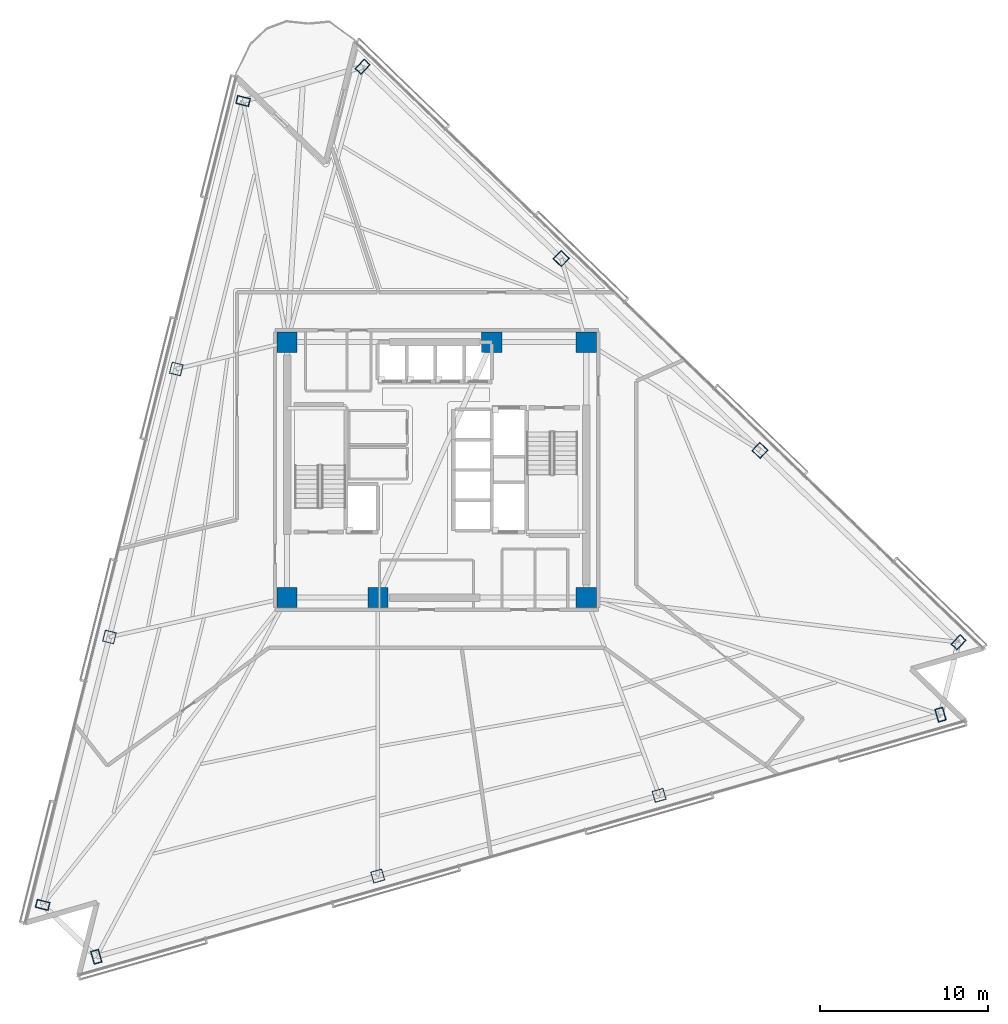
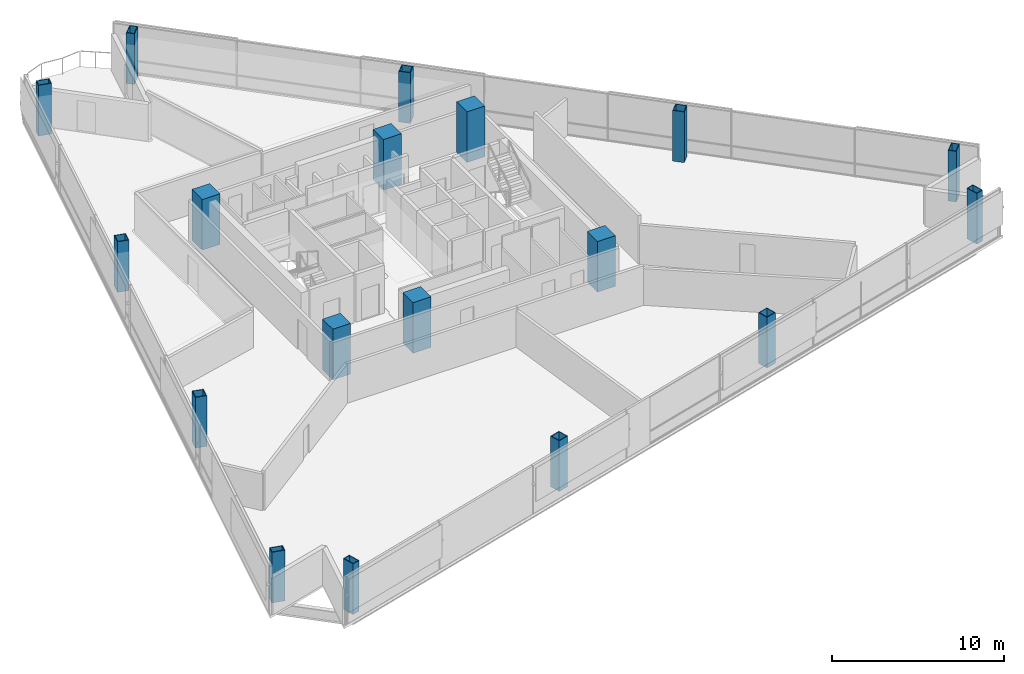
# One storey, part 1 of 18: 18 columns.
"""IFC4 building model written with IfcOpenShell, lengths in metres."""

from ifc_helpers import new_model, si_unit, direction, frame, origin, origin_2d, place, context, subcontext, project, spatial, rectangle, hollow_rectangle, extrude, material, material_profile, profile_set, type_object, element, save


model = new_model("IFC4")

# Units and contexts
model_context = context("Model", 3, precision=1e-05, world=origin(), true_north=direction((0.0, 1.0)))
body_context = subcontext(model_context, "Body", "Model", "MODEL_VIEW")
ifc_project = project(units=[si_unit("LENGTHUNIT", "METRE"), si_unit("AREAUNIT", "SQUARE_METRE"), si_unit("VOLUMEUNIT", "CUBIC_METRE"), si_unit("PLANEANGLEUNIT", "RADIAN"), si_unit("MASSUNIT", "GRAM", prefix="KILO")], contexts=[model_context])

# Site, building, storey
site_placement = place(None, origin())
site = spatial("IfcSite", under=ifc_project, at=site_placement, CompositionType="ELEMENT")
building_placement = place(site_placement, origin())
building = spatial("IfcBuilding", under=site, at=building_placement, Name="Tharavind Bronze Gate", CompositionType="ELEMENT")
storey_placement = place(building_placement, frame((0.0, 0.0, 100.5)))
storey = spatial("IfcBuildingStorey", under=building, at=storey_placement, Name="L25", CompositionType="ELEMENT", Elevation=100.5)

# Columns
ifc_material_1 = material(Name="Steel S460", Category="steel")
ifc_material_profile_1 = material_profile(ifc_material_1, hollow_rectangle(XDim=0.5, YDim=0.800048828125, WallThickness=0.0400390625, at=origin_2d()), Name="RHS800X500X40")
ifc_profile_set_1 = profile_set([ifc_material_profile_1], Name="Steel S460")
column_type_1 = type_object("IfcColumnType", Name="CORNER NOTCH COLUMN RHS800X500", PredefinedType="COLUMN", material=ifc_profile_set_1)
for number, where, z_axis, x_axis, name in (
    (1, (-11.520263671875, 21.952392578125, 0.0), (0.0, 0.0, 1.0), (0.2419218956, 0.970295726276, 0.0), "L25 perimeter column S1C1"),
    (2, (-23.447265625, -25.884521484375, 0.0), (0.0, 0.0, 1.0), (0.2419218956, 0.970295726276, 0.0), "L25 perimeter column S1C4"),
    (3, (-20.25341796875, -28.96875, 0.0), (0.0, 0.0, 1.0), (0.961261695938, 0.275637355817, 0.0), "L25 perimeter column S2C1"),
    (4, (29.9833984375, -14.563720703125, 0.0), (0.0, 0.0, 1.0), (0.961261695938, 0.275637355817, 0.0), "L25 perimeter column S2C4"),
    (5, (31.0576171875, -10.255615234375, 0.0), (0.0, 0.0, 1.0), (-0.719339800339, 0.694658370459, 0.0), "L25 perimeter column S3C1"),
    (6, (-4.406982421875, 23.9921875, 0.0), (0.0, 0.0, 1.0), (-0.719339800339, 0.694658370459, 0.0), "L25 perimeter column S3C4"),
):
    element("IfcColumn", number, at=place(storey_placement, frame(where, z_axis=z_axis, x_axis=x_axis)), inside=storey, type_object=column_type_1, Name=name, PredefinedType="COLUMN", context=body_context, shape_type="SweptSolid", body=[
        extrude(hollow_rectangle(XDim=0.5, YDim=0.800048828125, WallThickness=0.0400390625, at=origin_2d()), origin(), (0.0, 0.0, 1.0), 3.60009765625),
    ])
ifc_material_2 = material(Name="Concrete C60/75", Category="concrete")
ifc_material_profile_2 = material_profile(ifc_material_2, rectangle(XDim=1.199951171875, YDim=1.199951171875, at=origin_2d()), Name="RCCOL1200")
ifc_profile_set_2 = profile_set([ifc_material_profile_2], Name="Concrete C60/75")
column_type_2 = type_object("IfcColumnType", Name="MEGA CORE COLUMN 1200", PredefinedType="COLUMN", material=ifc_profile_set_2)
for number, where, z_axis, x_axis, name in (
    (7, (-8.89990234375, -7.60009765625, 0.0), (0.0, 0.0, 1.0), (1.0, 0.0, 0.0), "L25 core mega column MC1"),
    (8, (-3.5, -7.60009765625, 0.0), (0.0, 0.0, 1.0), (1.0, 0.0, 0.0), "L25 core mega column MC2"),
    (9, (8.89990234375, -7.60009765625, 0.0), (0.0, 0.0, 1.0), (1.0, 0.0, 0.0), "L25 core mega column MC3"),
    (10, (8.89990234375, 7.60009765625, 0.0), (0.0, 0.0, 1.0), (1.0, 0.0, 0.0), "L25 core mega column MC4"),
    (11, (3.280029296875, 7.60009765625, 0.0), (0.0, 0.0, 1.0), (1.0, 0.0, 0.0), "L25 core mega column MC5"),
    (12, (-8.89990234375, 7.60009765625, 0.0), (0.0, 0.0, 1.0), (1.0, 0.0, 0.0), "L25 core mega column MC6"),
):
    element("IfcColumn", number, at=place(storey_placement, frame(where, z_axis=z_axis, x_axis=x_axis)), inside=storey, type_object=column_type_2, Name=name, PredefinedType="COLUMN", context=body_context, shape_type="SweptSolid", body=[
        extrude(rectangle(XDim=1.199951171875, YDim=1.199951171875, at=origin_2d()), origin(), (0.0, 0.0, 1.0), 3.60009765625),
    ])
ifc_material_profile_3 = material_profile(ifc_material_1, hollow_rectangle(XDim=0.699951171875, YDim=0.699951171875, WallThickness=0.0400390625, at=origin_2d()), Name="SHS700X40")
ifc_profile_set_3 = profile_set([ifc_material_profile_3], Name="Steel S460")
column_type_3 = type_object("IfcColumnType", Name="PERIMETER BOX COLUMN SHS700", PredefinedType="COLUMN", material=ifc_profile_set_3)
for number, where, z_axis, x_axis, name in (
    (13, (-15.495849609375, 6.006591796875, 0.0), (0.0, 0.0, 1.0), (0.2419218956, 0.970295726276, 0.0), "L25 perimeter column S1C2"),
    (14, (-19.4716796875, -9.93896484375, 0.0), (0.0, 0.0, 1.0), (0.2419218956, 0.970295726276, 0.0), "L25 perimeter column S1C3"),
    (15, (-3.5078125, -24.1669921875, 0.0), (0.0, 0.0, 1.0), (0.961261695938, 0.275637355817, 0.0), "L25 perimeter column S2C2"),
    (16, (13.23779296875, -19.365234375, 0.0), (0.0, 0.0, 1.0), (0.961261695938, 0.275637355817, 0.0), "L25 perimeter column S2C3"),
    (17, (19.236083984375, 1.160400390625, 0.0), (0.0, 0.0, 1.0), (-0.719339800339, 0.694658370459, 0.0), "L25 perimeter column S3C2"),
    (18, (7.41455078125, 12.576171875, 0.0), (0.0, 0.0, 1.0), (-0.719339800339, 0.694658370459, 0.0), "L25 perimeter column S3C3"),
):
    element("IfcColumn", number, at=place(storey_placement, frame(where, z_axis=z_axis, x_axis=x_axis)), inside=storey, type_object=column_type_3, Name=name, PredefinedType="COLUMN", context=body_context, shape_type="SweptSolid", body=[
        extrude(hollow_rectangle(XDim=0.699951171875, YDim=0.699951171875, WallThickness=0.0400390625, at=origin_2d()), origin(), (0.0, 0.0, 1.0), 3.60009765625),
    ])

save(model, "model.ifc")
